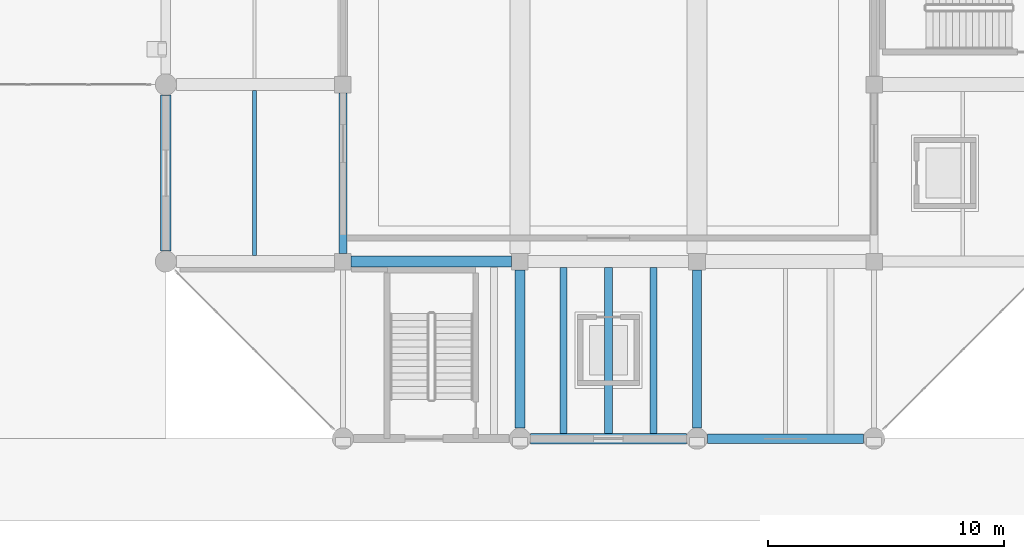
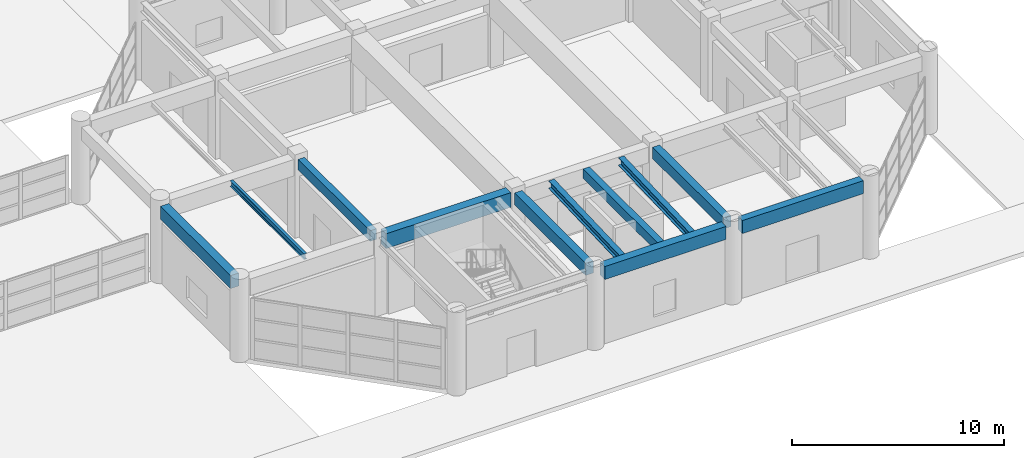
# One storey, part 53 of 122: 11 beams.
"""IFC4 building model written with IfcOpenShell, lengths in metres."""

from ifc_helpers import new_model, si_unit, direction, frame, origin, origin_2d, place, context, subcontext, project, spatial, rectangle, i_section, extrude, material, material_profile, profile_set, type_object, element, save


model = new_model("IFC4")

# Units and contexts
model_context = context("Model", 3, precision=1e-05, world=origin(), true_north=direction((0.0, 1.0)))
body_context = subcontext(model_context, "Body", "Model", "MODEL_VIEW")
ifc_project = project(units=[si_unit("LENGTHUNIT", "METRE"), si_unit("AREAUNIT", "SQUARE_METRE"), si_unit("VOLUMEUNIT", "CUBIC_METRE"), si_unit("PLANEANGLEUNIT", "RADIAN"), si_unit("MASSUNIT", "GRAM", prefix="KILO")], contexts=[model_context])

# Site, building, storey
site_placement = place(None, origin())
site = spatial("IfcSite", under=ifc_project, at=site_placement, CompositionType="ELEMENT")
building_placement = place(site_placement, origin())
building = spatial("IfcBuilding", under=site, at=building_placement, Name="Qasida Concert Hall", CompositionType="ELEMENT")
storey_placement = place(building_placement, origin())
storey = spatial("IfcBuildingStorey", under=building, at=storey_placement, Name="L00", CompositionType="ELEMENT", Elevation=0.0)

# Beams
ifc_material_1 = material(Name="Concrete C40/50", Category="concrete")
ifc_material_profile_1 = material_profile(ifc_material_1, rectangle(XDim=0.39990234375, YDim=0.64990234375, at=origin_2d()), Name="RC 400x650")
ifc_profile_set_1 = profile_set([ifc_material_profile_1], Name="Concrete C40/50")
beam_type_1 = type_object("IfcBeamType", Name="BM-B1", PredefinedType="BEAM", material=ifc_profile_set_1)
beam_1_placement = place(storey_placement, frame((150.0, 0.449951171875, 4.175048828125), z_axis=(0.0, 1.0, 0.0), x_axis=(-1.0, 0.0, 0.0)))
element("IfcBeam", 1, at=beam_1_placement, inside=storey, type_object=beam_type_1, Name="L00 girder 0491", PredefinedType="BEAM", context=body_context, shape_type="SweptSolid", body=[
    extrude(rectangle(XDim=0.39990234375, YDim=0.64990234375, at=origin_2d()), origin(), (0.0, 0.0, 1.0), 6.699951171875),
])
ifc_material_profile_2 = material_profile(ifc_material_1, rectangle(XDim=0.419921875, YDim=0.699951171875, at=origin_2d()), Name="RC 420x700")
ifc_profile_set_2 = profile_set([ifc_material_profile_2], Name="Concrete C40/50")
beam_type_2 = type_object("IfcBeamType", Name="BM-B11", PredefinedType="BEAM", material=ifc_profile_set_2)
beam_2_placement = place(storey_placement, frame((142.5, 0.449951171875, 4.14990234375), z_axis=(0.0, 1.0, 0.0), x_axis=(-1.0, 0.0, 0.0)))
element("IfcBeam", 2, at=beam_2_placement, inside=storey, type_object=beam_type_2, Name="L00 girder 0488", PredefinedType="BEAM", context=body_context, shape_type="SweptSolid", body=[
    extrude(rectangle(XDim=0.419921875, YDim=0.699951171875, at=origin_2d()), origin(), (0.0, 0.0, 1.0), 6.699951171875),
])
ifc_material_profile_3 = material_profile(ifc_material_1, rectangle(XDim=0.35009765625, YDim=0.60009765625, at=origin_2d()), Name="RC 350x600")
ifc_profile_set_3 = profile_set([ifc_material_profile_3], Name="Concrete C40/50")
beam_type_3 = type_object("IfcBeamType", Name="BM-B2", PredefinedType="BEAM", material=ifc_profile_set_3)
beam_3_placement = place(storey_placement, frame((135.0, 7.85009765625, 4.199951171875), z_axis=(0.0, 1.0, 0.0), x_axis=(-1.0, 0.0, 0.0)))
element("IfcBeam", 3, at=beam_3_placement, inside=storey, type_object=beam_type_3, Name="L00 girder 0485", PredefinedType="BEAM", context=body_context, shape_type="SweptSolid", body=[
    extrude(rectangle(XDim=0.35009765625, YDim=0.60009765625, at=origin_2d()), origin(), (0.0, 0.0, 1.0), 6.7998046875),
])
ifc_material_profile_4 = material_profile(ifc_material_1, rectangle(XDim=0.47998046875, YDim=0.85009765625, at=origin_2d()), Name="RC 480x850")
ifc_profile_set_4 = profile_set([ifc_material_profile_4], Name="Concrete C40/50")
beam_type_4 = type_object("IfcBeamType", Name="BM-G6", PredefinedType="USERDEFINED", material=ifc_profile_set_4)
beam_4_placement = place(storey_placement, frame((135.35009765625, 7.5, 4.074951171875), z_axis=(1.0, 0.0, 0.0), x_axis=(0.0, 1.0, 0.0)))
element("IfcBeam", 4, at=beam_4_placement, inside=storey, type_object=beam_type_4, Name="Primary girder 0468", ObjectType="GIRDER", PredefinedType="USERDEFINED", context=body_context, shape_type="SweptSolid", body=[
    extrude(rectangle(XDim=0.47998046875, YDim=0.85009765625, at=origin_2d()), origin(), (0.0, 0.0, 1.0), 6.7998046875),
])
ifc_material_2 = material(Name="Steel S355J2", Category="steel")
ifc_material_profile_5 = material_profile(ifc_material_2, i_section(OverallWidth=0.159912109375, OverallDepth=0.330078125, WebThickness=0.007568359375, FlangeThickness=0.011474609375, FilletRadius=0.01806640625, at=origin_2d()), Name="IPE 330")
ifc_profile_set_5 = profile_set([ifc_material_profile_5], Name="Steel S355J2")
beam_type_5 = type_object("IfcBeamType", Name="BM-J5", PredefinedType="JOIST", material=ifc_profile_set_5)
beam_5_placement = place(storey_placement, frame((131.25, 7.760009765625, 4.3349609375), z_axis=(0.0, 1.0, 0.0), x_axis=(-1.0, 0.0, 0.0)))
element("IfcBeam", 5, at=beam_5_placement, inside=storey, type_object=beam_type_5, Name="L00 secondary joist 0500", PredefinedType="JOIST", context=body_context, shape_type="SweptSolid", body=[
    extrude(i_section(OverallWidth=0.159912109375, OverallDepth=0.330078125, WebThickness=0.007568359375, FlangeThickness=0.011474609375, FilletRadius=0.01806640625, at=origin_2d()), origin(), (0.0, 0.0, 1.0), 6.97998046875),
])
ifc_material_profile_6 = material_profile(ifc_material_1, rectangle(XDim=0.35009765625, YDim=0.550048828125, at=origin_2d()), Name="RC 350x550")
ifc_profile_set_6 = profile_set([ifc_material_profile_6], Name="Concrete C40/50")
beam_type_6 = type_object("IfcBeamType", Name="BM-J8", PredefinedType="JOIST", material=ifc_profile_set_6)
beam_6_placement = place(storey_placement, frame((146.25, 0.22509765625, 4.22509765625), z_axis=(0.0, 1.0, 0.0), x_axis=(-1.0, 0.0, 0.0)))
element("IfcBeam", 6, at=beam_6_placement, inside=storey, type_object=beam_type_6, Name="L00 secondary joist 0503", PredefinedType="JOIST", context=body_context, shape_type="SweptSolid", body=[
    extrude(rectangle(XDim=0.35009765625, YDim=0.550048828125, at=origin_2d()), origin(), (0.0, 0.0, 1.0), 7.02490234375),
])
ifc_material_profile_7 = material_profile(ifc_material_2, i_section(OverallWidth=0.300048828125, OverallDepth=0.449951171875, WebThickness=0.013916015625, FlangeThickness=0.02587890625, FilletRadius=0.027099609375, at=origin_2d()), Name="HEB 450")
ifc_profile_set_7 = profile_set([ifc_material_profile_7], Name="Steel S355J2")
beam_type_7 = type_object("IfcBeamType", Name="BM-RK3", PredefinedType="USERDEFINED", material=ifc_profile_set_7)
for number, where, z_axis, x_axis, name in (
    (7, (144.35009765625, 0.22509765625, 3.97998046875), (0.0, 0.999262097686, 0.038409115175), (-1.0, 0.0, 0.0), "Raker beam RK-012"),
    (8, (148.14990234375, 0.22509765625, 3.97998046875), (0.0, 0.999262097686, 0.038409115175), (-1.0, 0.0, 0.0), "Raker beam RK-013"),
):
    element("IfcBeam", number, at=place(storey_placement, frame(where, z_axis=z_axis, x_axis=x_axis)), inside=storey, type_object=beam_type_7, Name=name, ObjectType="RAKER", PredefinedType="USERDEFINED", context=body_context, shape_type="SweptSolid", body=[
        extrude(i_section(OverallWidth=0.300048828125, OverallDepth=0.449951171875, WebThickness=0.013916015625, FlangeThickness=0.02587890625, FilletRadius=0.027099609375, at=origin_2d()), origin(), (0.0, 0.0, 1.0), 7.030029296875),
    ])
ifc_material_profile_8 = material_profile(ifc_material_1, rectangle(XDim=0.39990234375, YDim=0.75, at=origin_2d()), Name="RC 400x750")
ifc_profile_set_8 = profile_set([ifc_material_profile_8], Name="Concrete C40/50")
beam_type_8 = type_object("IfcBeamType", Name="BM-SP1", PredefinedType="SPANDREL", material=ifc_profile_set_8)
beam_7_placement = place(storey_placement, frame((150.449951171875, 0.0, 4.125), z_axis=(1.0, 0.0, 0.0), x_axis=(0.0, 1.0, 0.0)))
element("IfcBeam", 9, at=beam_7_placement, inside=storey, type_object=beam_type_8, Name="Primary girder 0466", PredefinedType="SPANDREL", context=body_context, shape_type="SweptSolid", body=[
    extrude(rectangle(XDim=0.39990234375, YDim=0.75, at=origin_2d()), origin(), (0.0, 0.0, 1.0), 6.60009765625),
])
ifc_material_profile_9 = material_profile(ifc_material_1, rectangle(XDim=0.449951171875, YDim=0.75, at=origin_2d()), Name="RC 450x750")
ifc_profile_set_9 = profile_set([ifc_material_profile_9], Name="Concrete C40/50")
beam_type_9 = type_object("IfcBeamType", Name="BM-SP4", PredefinedType="SPANDREL", material=ifc_profile_set_9)
for number, where, z_axis, x_axis, name in (
    (10, (142.949951171875, 0.0, 4.125), (1.0, 0.0, 0.0), (0.0, 1.0, 0.0), "Primary girder 0465"),
    (11, (127.5, 7.949951171875, 4.125), (0.0, 1.0, 0.0), (-1.0, 0.0, 0.0), "L00 girder 0482"),
):
    element("IfcBeam", number, at=place(storey_placement, frame(where, z_axis=z_axis, x_axis=x_axis)), inside=storey, type_object=beam_type_9, Name=name, PredefinedType="SPANDREL", context=body_context, shape_type="SweptSolid", body=[
        extrude(rectangle(XDim=0.449951171875, YDim=0.75, at=origin_2d()), origin(), (0.0, 0.0, 1.0), 6.60009765625),
    ])

save(model, "model.ifc")
